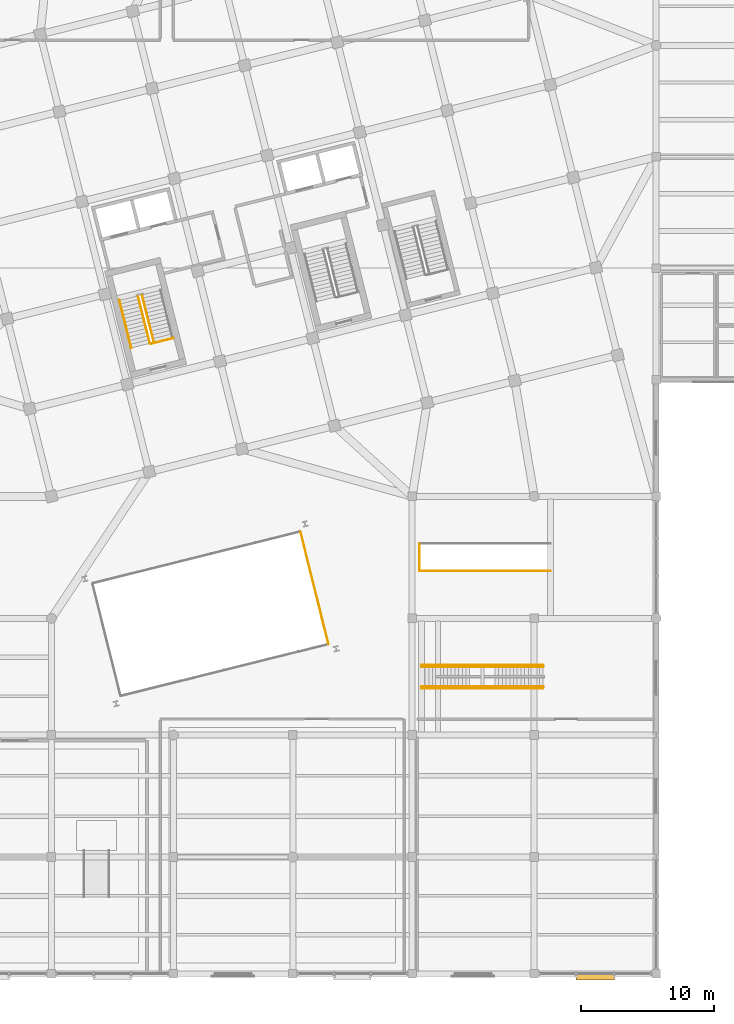
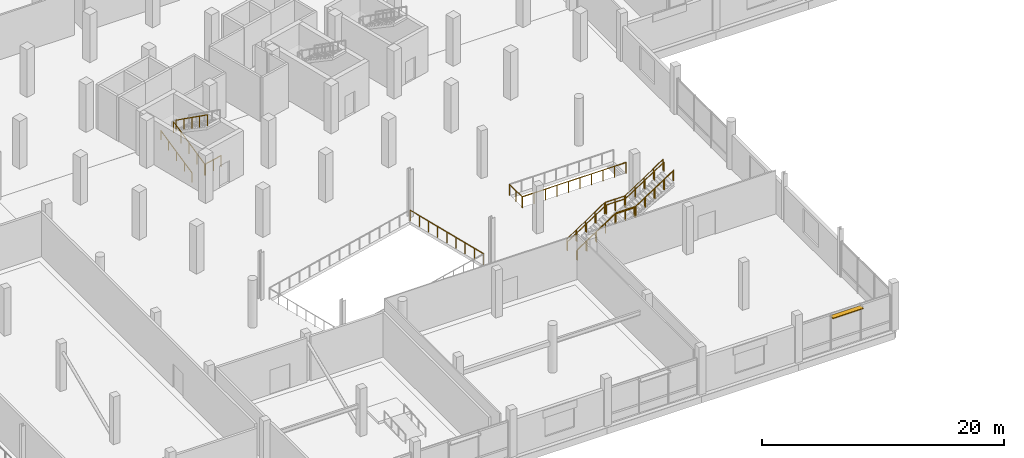
# One storey, part 68 of 71: 19 railings, 1 shading device.
"""IFC4 building model written with IfcOpenShell, lengths in metres."""

from ifc_helpers import new_model, si_unit, direction, frame, origin, origin_2d, place, context, subcontext, project, spatial, rectangle, circle, extrude, material, layer, layer_set, type_object, element, save


model = new_model("IFC4")

# Units and contexts
model_context = context("Model", 3, precision=1e-05, world=origin(), true_north=direction((0.0, 1.0)))
body_context = subcontext(model_context, "Body", "Model", "MODEL_VIEW")
ifc_project = project(units=[si_unit("LENGTHUNIT", "METRE"), si_unit("AREAUNIT", "SQUARE_METRE"), si_unit("VOLUMEUNIT", "CUBIC_METRE"), si_unit("PLANEANGLEUNIT", "RADIAN"), si_unit("MASSUNIT", "GRAM", prefix="KILO")], contexts=[model_context])

# Site, building, storey
site_placement = place(None, origin())
site = spatial("IfcSite", under=ifc_project, at=site_placement, CompositionType="ELEMENT")
building_placement = place(site_placement, origin())
building = spatial("IfcBuilding", under=site, at=building_placement, Name="Meriwether Solvik Hall", CompositionType="ELEMENT")
storey_placement = place(building_placement, frame((0.0, 0.0, 5.10009765625)))
storey = spatial("IfcBuildingStorey", under=building, at=storey_placement, Name="L01", CompositionType="ELEMENT", Elevation=5.10009765625)

# Railings
ifc_material_1 = material(Name="Steel A36 Galvanised", Category="steel")
ifc_layer_1 = layer(ifc_material_1, 0.054931640625)
ifc_layer_set_1 = layer_set([ifc_layer_1], Name="Steel A36 Galvanised")
railing_type_1 = type_object("IfcRailingType", Name="RAIL-STR-GUARD", PredefinedType="GUARDRAIL", material=ifc_layer_set_1)
railing_1_placement = place(storey_placement, frame((76.092041015625, 52.69384765625, 0.0)))
element("IfcRailing", 1, at=railing_1_placement, inside=storey, type_object=railing_type_1, Name="Stair ST-01 Well Guardrail (L01)", PredefinedType="GUARDRAIL", context=body_context, shape_type="SweptSolid", body=[
    extrude(circle(Radius=0.02392578125, at=origin_2d()), frame((0.0, 0.0, 1.09619140625), z_axis=(0.970298223594, 0.241911879182, 0.0), x_axis=(-0.241911879182, 0.970298223594, 0.0)), (0.0, 0.0, 1.0), 1.75),
    extrude(circle(Radius=0.02099609375, at=origin_2d()), origin(), (0.0, 0.0, 1.0), 1.072021484375),
    extrude(circle(Radius=0.02099609375, at=origin_2d()), frame((0.84912109375, 0.211669921875, 0.0)), (0.0, 0.0, 1.0), 1.072021484375),
    extrude(circle(Radius=0.02099609375, at=origin_2d()), frame((1.697998046875, 0.42333984375, 0.0)), (0.0, 0.0, 1.0), 1.072021484375),
])
railing_2_placement = place(storey_placement, frame((76.019287109375, 52.737548828125, 0.0)))
element("IfcRailing", 2, at=railing_2_placement, inside=storey, type_object=railing_type_1, Name="Stair ST-01 Flight 1 Inner Guardrail (L01)", PredefinedType="GUARDRAIL", context=body_context, shape_type="SweptSolid", body=[
    extrude(circle(Radius=0.02392578125, at=origin_2d()), frame((0.0, 0.0, 1.09619140625), z_axis=(-0.203081283414, 0.814371431991, 0.543651692799), x_axis=(-0.970285746386, -0.241961919235, 0.0)), (0.0, 0.0, 1.0), 4.414306640625),
    extrude(circle(Radius=0.02099609375, at=origin_2d()), origin(), (0.0, 0.0, 1.0), 1.072021484375),
    extrude(circle(Radius=0.02099609375, at=origin_2d()), frame((-0.22412109375, 0.898681640625, 0.60009765625)), (0.0, 0.0, 1.0), 1.072021484375),
    extrude(circle(Radius=0.02099609375, at=origin_2d()), frame((-0.4482421875, 1.79736328125, 1.199951171875)), (0.0, 0.0, 1.0), 1.072021484375),
    extrude(circle(Radius=0.02099609375, at=origin_2d()), frame((-0.67236328125, 2.6962890625, 1.7998046875)), (0.0, 0.0, 1.0), 1.072021484375),
    extrude(circle(Radius=0.02099609375, at=origin_2d()), frame((-0.896484375, 3.594970703125, 2.39990234375)), (0.0, 0.0, 1.0), 1.072021484375),
])
railing_3_placement = place(storey_placement, frame((75.433349609375, 56.409912109375, 2.39990234375)))
element("IfcRailing", 3, at=railing_3_placement, inside=storey, type_object=railing_type_1, Name="Stair ST-01 Flight 2 Inner Guardrail (L01)", PredefinedType="GUARDRAIL", context=body_context, shape_type="SweptSolid", body=[
    extrude(circle(Radius=0.02392578125, at=origin_2d()), frame((0.0, 0.0, 1.09619140625), z_axis=(0.203028258064, -0.814380577499, 0.543657798086), x_axis=(0.970301214675, 0.241899881771, 0.0)), (0.0, 0.0, 1.0), 4.414306640625),
    extrude(circle(Radius=0.02099609375, at=origin_2d()), origin(), (0.0, 0.0, 1.0), 1.072021484375),
    extrude(circle(Radius=0.02099609375, at=origin_2d()), frame((0.22412109375, -0.898681640625, 0.60009765625)), (0.0, 0.0, 1.0), 1.072021484375),
    extrude(circle(Radius=0.02099609375, at=origin_2d()), frame((0.4482421875, -1.79736328125, 1.199951171875)), (0.0, 0.0, 1.0), 1.072021484375),
    extrude(circle(Radius=0.02099609375, at=origin_2d()), frame((0.672119140625, -2.6962890625, 1.7998046875)), (0.0, 0.0, 1.0), 1.072021484375),
    extrude(circle(Radius=0.02099609375, at=origin_2d()), frame((0.896240234375, -3.594970703125, 2.39990234375)), (0.0, 0.0, 1.0), 1.072021484375),
])
railing_4_placement = place(storey_placement, frame((106.239990234375, 35.56005859375, 0.0)))
element("IfcRailing", 4, at=railing_4_placement, inside=storey, type_object=railing_type_1, Name="Stair ST-AT1 Arrival Well Guardrail (L01) 1", PredefinedType="GUARDRAIL", context=body_context, shape_type="SweptSolid", body=[
    extrude(circle(Radius=0.02392578125, at=origin_2d()), frame((0.0, 0.0, 1.09619140625), z_axis=(-1.0, 0.0, 0.0), x_axis=(0.0, -1.0, 0.0)), (0.0, 0.0, 1.0), 9.867919921875),
    extrude(circle(Radius=0.02099609375, at=origin_2d()), origin(), (0.0, 0.0, 1.0), 1.072021484375),
    extrude(circle(Radius=0.02099609375, at=origin_2d()), frame((-1.096435546875, 0.0, 0.0)), (0.0, 0.0, 1.0), 1.072021484375),
    extrude(circle(Radius=0.02099609375, at=origin_2d()), frame((-2.19287109375, 0.0, 0.0)), (0.0, 0.0, 1.0), 1.072021484375),
    extrude(circle(Radius=0.02099609375, at=origin_2d()), frame((-3.289306640625, 0.0, 0.0)), (0.0, 0.0, 1.0), 1.072021484375),
    extrude(circle(Radius=0.02099609375, at=origin_2d()), frame((-4.3857421875, 0.0, 0.0)), (0.0, 0.0, 1.0), 1.072021484375),
    extrude(circle(Radius=0.02099609375, at=origin_2d()), frame((-5.482177734375, 0.0, 0.0)), (0.0, 0.0, 1.0), 1.072021484375),
    extrude(circle(Radius=0.02099609375, at=origin_2d()), frame((-6.57861328125, 0.0, 0.0)), (0.0, 0.0, 1.0), 1.072021484375),
    extrude(circle(Radius=0.02099609375, at=origin_2d()), frame((-7.675048828125, 0.0, 0.0)), (0.0, 0.0, 1.0), 1.072021484375),
    extrude(circle(Radius=0.02099609375, at=origin_2d()), frame((-8.771484375, 0.0, 0.0)), (0.0, 0.0, 1.0), 1.072021484375),
    extrude(circle(Radius=0.02099609375, at=origin_2d()), frame((-9.867919921875, 0.0, 0.0)), (0.0, 0.0, 1.0), 1.072021484375),
])
railing_5_placement = place(storey_placement, frame((96.340087890625, 35.592041015625, 0.0)))
element("IfcRailing", 5, at=railing_5_placement, inside=storey, type_object=railing_type_1, Name="Stair ST-AT1 Arrival Well Guardrail (L01) 2", PredefinedType="GUARDRAIL", context=body_context, shape_type="SweptSolid", body=[
    extrude(circle(Radius=0.02392578125, at=origin_2d()), frame((0.0, 0.0, 1.09619140625), z_axis=(0.0, 1.0, 0.0), x_axis=(-1.0, 0.0, 0.0)), (0.0, 0.0, 1.0), 2.015869140625),
    extrude(circle(Radius=0.02099609375, at=origin_2d()), origin(), (0.0, 0.0, 1.0), 1.072021484375),
    extrude(circle(Radius=0.02099609375, at=origin_2d()), frame((0.0, 1.0078125, 0.0)), (0.0, 0.0, 1.0), 1.072021484375),
    extrude(circle(Radius=0.02099609375, at=origin_2d()), frame((0.0, 2.015869140625, 0.0)), (0.0, 0.0, 1.0), 1.072021484375),
])
railing_6_placement = place(storey_placement, frame((96.5, 26.72998046875, 0.0)))
element("IfcRailing", 6, at=railing_6_placement, inside=storey, type_object=railing_type_1, Name="Stair ST-AT2 Guardrail L 1", PredefinedType="GUARDRAIL", context=body_context, shape_type="SweptSolid", body=[
    extrude(circle(Radius=0.02392578125, at=origin_2d()), frame((0.0, 0.0, 1.09619140625), z_axis=(0.83485553818, 0.0, 0.550469100286), x_axis=(0.0, 1.0, 0.0)), (0.0, 0.0, 1.0), 4.321533203125),
    extrude(circle(Radius=0.02099609375, at=origin_2d()), origin(), (0.0, 0.0, 1.0), 1.072021484375),
    extrude(circle(Radius=0.02099609375, at=origin_2d()), frame((0.90185546875, 0.0, 0.5947265625)), (0.0, 0.0, 1.0), 1.072021484375),
    extrude(circle(Radius=0.02099609375, at=origin_2d()), frame((1.803955078125, 0.0, 1.189453125)), (0.0, 0.0, 1.0), 1.072021484375),
    extrude(circle(Radius=0.02099609375, at=origin_2d()), frame((2.7060546875, 0.0, 1.7841796875)), (0.0, 0.0, 1.0), 1.072021484375),
    extrude(circle(Radius=0.02099609375, at=origin_2d()), frame((3.60791015625, 0.0, 2.37890625)), (0.0, 0.0, 1.0), 1.072021484375),
])
railing_7_placement = place(storey_placement, frame((100.172119140625, 26.72998046875, 2.39990234375)))
element("IfcRailing", 7, at=railing_7_placement, inside=storey, type_object=railing_type_1, Name="Stair ST-AT2 Guardrail L 2", PredefinedType="GUARDRAIL", context=body_context, shape_type="SweptSolid", body=[
    extrude(circle(Radius=0.02392578125, at=origin_2d()), frame((0.0, 0.0, 1.09619140625), z_axis=(1.0, 0.0, 0.0), x_axis=(0.0, 1.0, 0.0)), (0.0, 0.0, 1.0), 1.8359375),
    extrude(circle(Radius=0.02099609375, at=origin_2d()), origin(), (0.0, 0.0, 1.0), 1.072021484375),
    extrude(circle(Radius=0.02099609375, at=origin_2d()), frame((0.91796875, 0.0, 0.0)), (0.0, 0.0, 1.0), 1.072021484375),
    extrude(circle(Radius=0.02099609375, at=origin_2d()), frame((1.8359375, 0.0, 0.0)), (0.0, 0.0, 1.0), 1.072021484375),
])
for number, where, name in (
    (8, (102.072021484375, 26.72998046875, 2.4208984375), "Stair ST-AT2 Guardrail L 3"),
    (9, (96.5, 28.469970703125, 0.0), "Stair ST-AT2 Guardrail R 1"),
):
    element("IfcRailing", number, at=place(storey_placement, frame(where)), inside=storey, type_object=railing_type_1, Name=name, PredefinedType="GUARDRAIL", context=body_context, shape_type="SweptSolid", body=[
        extrude(circle(Radius=0.02392578125, at=origin_2d()), frame((0.0, 0.0, 1.09619140625), z_axis=(0.83485553818, 0.0, 0.550469100286), x_axis=(0.0, 1.0, 0.0)), (0.0, 0.0, 1.0), 4.321533203125),
        extrude(circle(Radius=0.02099609375, at=origin_2d()), origin(), (0.0, 0.0, 1.0), 1.072021484375),
        extrude(circle(Radius=0.02099609375, at=origin_2d()), frame((0.90185546875, 0.0, 0.5947265625)), (0.0, 0.0, 1.0), 1.072021484375),
        extrude(circle(Radius=0.02099609375, at=origin_2d()), frame((1.803955078125, 0.0, 1.189453125)), (0.0, 0.0, 1.0), 1.072021484375),
        extrude(circle(Radius=0.02099609375, at=origin_2d()), frame((2.7060546875, 0.0, 1.7841796875)), (0.0, 0.0, 1.0), 1.072021484375),
        extrude(circle(Radius=0.02099609375, at=origin_2d()), frame((3.60791015625, 0.0, 2.37890625)), (0.0, 0.0, 1.0), 1.072021484375),
    ])
railing_8_placement = place(storey_placement, frame((100.172119140625, 28.469970703125, 2.39990234375)))
element("IfcRailing", 10, at=railing_8_placement, inside=storey, type_object=railing_type_1, Name="Stair ST-AT2 Guardrail R 2", PredefinedType="GUARDRAIL", context=body_context, shape_type="SweptSolid", body=[
    extrude(circle(Radius=0.02392578125, at=origin_2d()), frame((0.0, 0.0, 1.09619140625), z_axis=(1.0, 0.0, 0.0), x_axis=(0.0, 1.0, 0.0)), (0.0, 0.0, 1.0), 1.8359375),
    extrude(circle(Radius=0.02099609375, at=origin_2d()), origin(), (0.0, 0.0, 1.0), 1.072021484375),
    extrude(circle(Radius=0.02099609375, at=origin_2d()), frame((0.91796875, 0.0, 0.0)), (0.0, 0.0, 1.0), 1.072021484375),
    extrude(circle(Radius=0.02099609375, at=origin_2d()), frame((1.8359375, 0.0, 0.0)), (0.0, 0.0, 1.0), 1.072021484375),
])
railing_9_placement = place(storey_placement, frame((102.072021484375, 28.469970703125, 2.4208984375)))
element("IfcRailing", 11, at=railing_9_placement, inside=storey, type_object=railing_type_1, Name="Stair ST-AT2 Guardrail R 3", PredefinedType="GUARDRAIL", context=body_context, shape_type="SweptSolid", body=[
    extrude(circle(Radius=0.02392578125, at=origin_2d()), frame((0.0, 0.0, 1.09619140625), z_axis=(0.83485553818, 0.0, 0.550469100286), x_axis=(0.0, 1.0, 0.0)), (0.0, 0.0, 1.0), 4.321533203125),
    extrude(circle(Radius=0.02099609375, at=origin_2d()), origin(), (0.0, 0.0, 1.0), 1.072021484375),
    extrude(circle(Radius=0.02099609375, at=origin_2d()), frame((0.90185546875, 0.0, 0.5947265625)), (0.0, 0.0, 1.0), 1.072021484375),
    extrude(circle(Radius=0.02099609375, at=origin_2d()), frame((1.803955078125, 0.0, 1.189453125)), (0.0, 0.0, 1.0), 1.072021484375),
    extrude(circle(Radius=0.02099609375, at=origin_2d()), frame((2.7060546875, 0.0, 1.7841796875)), (0.0, 0.0, 1.0), 1.072021484375),
    extrude(circle(Radius=0.02099609375, at=origin_2d()), frame((3.60791015625, 0.0, 2.37890625)), (0.0, 0.0, 1.0), 1.072021484375),
])
ifc_material_2 = material(Name="Stainless Steel AISI 316", Category="steel")
ifc_layer_2 = layer(ifc_material_2, 0.044921875)
ifc_layer_set_2 = layer_set([ifc_layer_2], Name="Stainless Steel AISI 316")
railing_type_2 = type_object("IfcRailingType", Name="RAIL-STR-HAND", PredefinedType="HANDRAIL", material=ifc_layer_set_2)
railing_10_placement = place(storey_placement, frame((74.6220703125, 52.38916015625, 0.0)))
element("IfcRailing", 12, at=railing_10_placement, inside=storey, type_object=railing_type_2, Name="Stair ST-01 Lower Handrail (L01)", PredefinedType="HANDRAIL", context=body_context, shape_type="SweptSolid", body=[
    extrude(circle(Radius=0.02392578125, at=origin_2d()), frame((0.0, 0.0, 0.89599609375), z_axis=(-0.20308221401, 0.814371825566, 0.543650755612), x_axis=(-0.970285513533, -0.241962852992, 0.0)), (0.0, 0.0, 1.0), 4.421630859375),
    extrude(circle(Radius=0.02099609375, at=origin_2d()), origin(), (0.0, 0.0, 1.0), 0.871826171875),
    extrude(circle(Radius=0.02099609375, at=origin_2d()), frame((-0.224609375, 0.900146484375, 0.60107421875)), (0.0, 0.0, 1.0), 0.871826171875),
    extrude(circle(Radius=0.02099609375, at=origin_2d()), frame((-0.448974609375, 1.80029296875, 1.201904296875)), (0.0, 0.0, 1.0), 0.871826171875),
    extrude(circle(Radius=0.02099609375, at=origin_2d()), frame((-0.67333984375, 2.70068359375, 1.802734375)), (0.0, 0.0, 1.0), 0.871826171875),
    extrude(circle(Radius=0.02099609375, at=origin_2d()), frame((-0.89794921875, 3.600830078125, 2.40380859375)), (0.0, 0.0, 1.0), 0.871826171875),
])
railing_11_placement = place(storey_placement, frame((96.5, 26.85009765625, 0.0)))
element("IfcRailing", 13, at=railing_11_placement, inside=storey, type_object=railing_type_2, Name="Stair ST-AT2 Handrail L 1", PredefinedType="HANDRAIL", context=body_context, shape_type="SweptSolid", body=[
    extrude(circle(Radius=0.02392578125, at=origin_2d()), frame((0.0, 0.0, 0.89599609375), z_axis=(0.834877630396, 0.0, 0.550435593202), x_axis=(0.0, 1.0, 0.0)), (0.0, 0.0, 1.0), 4.3671875),
    extrude(circle(Radius=0.02099609375, at=origin_2d()), origin(), (0.0, 0.0, 1.0), 0.871826171875),
    extrude(circle(Radius=0.02099609375, at=origin_2d()), frame((0.91162109375, 0.0, 0.60107421875)), (0.0, 0.0, 1.0), 0.871826171875),
    extrude(circle(Radius=0.02099609375, at=origin_2d()), frame((1.822998046875, 0.0, 1.201904296875)), (0.0, 0.0, 1.0), 0.871826171875),
    extrude(circle(Radius=0.02099609375, at=origin_2d()), frame((2.734375, 0.0, 1.802734375)), (0.0, 0.0, 1.0), 0.871826171875),
    extrude(circle(Radius=0.02099609375, at=origin_2d()), frame((3.64599609375, 0.0, 2.40380859375)), (0.0, 0.0, 1.0), 0.871826171875),
])
railing_12_placement = place(storey_placement, frame((100.205078125, 26.85009765625, 2.39990234375)))
element("IfcRailing", 14, at=railing_12_placement, inside=storey, type_object=railing_type_2, Name="Stair ST-AT2 Handrail L 2", PredefinedType="HANDRAIL", context=body_context, shape_type="SweptSolid", body=[
    extrude(circle(Radius=0.02392578125, at=origin_2d()), frame((0.0, 0.0, 0.89599609375), z_axis=(1.0, 0.0, 0.0), x_axis=(0.0, 1.0, 0.0)), (0.0, 0.0, 1.0), 1.77001953125),
    extrude(circle(Radius=0.02099609375, at=origin_2d()), origin(), (0.0, 0.0, 1.0), 0.871826171875),
    extrude(circle(Radius=0.02099609375, at=origin_2d()), frame((0.885009765625, 0.0, 0.0)), (0.0, 0.0, 1.0), 0.871826171875),
    extrude(circle(Radius=0.02099609375, at=origin_2d()), frame((1.77001953125, 0.0, 0.0)), (0.0, 0.0, 1.0), 0.871826171875),
])
railing_13_placement = place(storey_placement, frame((102.0400390625, 26.85009765625, 2.39990234375)))
element("IfcRailing", 15, at=railing_13_placement, inside=storey, type_object=railing_type_2, Name="Stair ST-AT2 Handrail L 3", PredefinedType="HANDRAIL", context=body_context, shape_type="SweptSolid", body=[
    extrude(circle(Radius=0.02392578125, at=origin_2d()), frame((0.0, 0.0, 0.89599609375), z_axis=(0.834851939573, 0.0, 0.550474557987), x_axis=(0.0, 1.0, 0.0)), (0.0, 0.0, 1.0), 4.3671875),
    extrude(circle(Radius=0.02099609375, at=origin_2d()), origin(), (0.0, 0.0, 1.0), 0.871826171875),
    extrude(circle(Radius=0.02099609375, at=origin_2d()), frame((0.91162109375, 0.0, 0.60107421875)), (0.0, 0.0, 1.0), 0.871826171875),
    extrude(circle(Radius=0.02099609375, at=origin_2d()), frame((1.822998046875, 0.0, 1.2021484375)), (0.0, 0.0, 1.0), 0.871826171875),
    extrude(circle(Radius=0.02099609375, at=origin_2d()), frame((2.734375, 0.0, 1.802978515625)), (0.0, 0.0, 1.0), 0.871826171875),
    extrude(circle(Radius=0.02099609375, at=origin_2d()), frame((3.64599609375, 0.0, 2.404052734375)), (0.0, 0.0, 1.0), 0.871826171875),
])
railing_14_placement = place(storey_placement, frame((96.5, 28.35009765625, 0.0)))
element("IfcRailing", 16, at=railing_14_placement, inside=storey, type_object=railing_type_2, Name="Stair ST-AT2 Handrail R 1", PredefinedType="HANDRAIL", context=body_context, shape_type="SweptSolid", body=[
    extrude(circle(Radius=0.02392578125, at=origin_2d()), frame((0.0, 0.0, 0.89599609375), z_axis=(0.834877630396, 0.0, 0.550435593202), x_axis=(0.0, 1.0, 0.0)), (0.0, 0.0, 1.0), 4.3671875),
    extrude(circle(Radius=0.02099609375, at=origin_2d()), origin(), (0.0, 0.0, 1.0), 0.871826171875),
    extrude(circle(Radius=0.02099609375, at=origin_2d()), frame((0.91162109375, 0.0, 0.60107421875)), (0.0, 0.0, 1.0), 0.871826171875),
    extrude(circle(Radius=0.02099609375, at=origin_2d()), frame((1.822998046875, 0.0, 1.201904296875)), (0.0, 0.0, 1.0), 0.871826171875),
    extrude(circle(Radius=0.02099609375, at=origin_2d()), frame((2.734375, 0.0, 1.802734375)), (0.0, 0.0, 1.0), 0.871826171875),
    extrude(circle(Radius=0.02099609375, at=origin_2d()), frame((3.64599609375, 0.0, 2.40380859375)), (0.0, 0.0, 1.0), 0.871826171875),
])
railing_15_placement = place(storey_placement, frame((100.205078125, 28.35009765625, 2.39990234375)))
element("IfcRailing", 17, at=railing_15_placement, inside=storey, type_object=railing_type_2, Name="Stair ST-AT2 Handrail R 2", PredefinedType="HANDRAIL", context=body_context, shape_type="SweptSolid", body=[
    extrude(circle(Radius=0.02392578125, at=origin_2d()), frame((0.0, 0.0, 0.89599609375), z_axis=(1.0, 0.0, 0.0), x_axis=(0.0, 1.0, 0.0)), (0.0, 0.0, 1.0), 1.77001953125),
    extrude(circle(Radius=0.02099609375, at=origin_2d()), origin(), (0.0, 0.0, 1.0), 0.871826171875),
    extrude(circle(Radius=0.02099609375, at=origin_2d()), frame((0.885009765625, 0.0, 0.0)), (0.0, 0.0, 1.0), 0.871826171875),
    extrude(circle(Radius=0.02099609375, at=origin_2d()), frame((1.77001953125, 0.0, 0.0)), (0.0, 0.0, 1.0), 0.871826171875),
])
railing_16_placement = place(storey_placement, frame((102.0400390625, 28.35009765625, 2.39990234375)))
element("IfcRailing", 18, at=railing_16_placement, inside=storey, type_object=railing_type_2, Name="Stair ST-AT2 Handrail R 3", PredefinedType="HANDRAIL", context=body_context, shape_type="SweptSolid", body=[
    extrude(circle(Radius=0.02392578125, at=origin_2d()), frame((0.0, 0.0, 0.89599609375), z_axis=(0.834851939573, 0.0, 0.550474557987), x_axis=(0.0, 1.0, 0.0)), (0.0, 0.0, 1.0), 4.3671875),
    extrude(circle(Radius=0.02099609375, at=origin_2d()), origin(), (0.0, 0.0, 1.0), 0.871826171875),
    extrude(circle(Radius=0.02099609375, at=origin_2d()), frame((0.91162109375, 0.0, 0.60107421875)), (0.0, 0.0, 1.0), 0.871826171875),
    extrude(circle(Radius=0.02099609375, at=origin_2d()), frame((1.822998046875, 0.0, 1.2021484375)), (0.0, 0.0, 1.0), 0.871826171875),
    extrude(circle(Radius=0.02099609375, at=origin_2d()), frame((2.734375, 0.0, 1.802978515625)), (0.0, 0.0, 1.0), 0.871826171875),
    extrude(circle(Radius=0.02099609375, at=origin_2d()), frame((3.64599609375, 0.0, 2.404052734375)), (0.0, 0.0, 1.0), 0.871826171875),
])
ifc_material_3 = material(Name="Laminated Tempered Glass and Stainless Steel AISI 316", Category="steel")
ifc_layer_3 = layer(ifc_material_3, 0.06005859375)
ifc_layer_set_3 = layer_set([ifc_layer_3], Name="Laminated Tempered Glass and Stainless Steel AISI 316")
railing_type_3 = type_object("IfcRailingType", Name="RAIL-TERR-1120", PredefinedType="GUARDRAIL", material=ifc_layer_set_3)
railing_17_placement = place(storey_placement, frame((89.49169921875, 30.07568359375, 0.0)))
element("IfcRailing", 19, at=railing_17_placement, inside=storey, type_object=railing_type_3, Name="L01 Civic Atrium Cleft Guardrail 2", PredefinedType="GUARDRAIL", context=body_context, shape_type="SweptSolid", body=[
    extrude(circle(Radius=0.02392578125, at=origin_2d()), frame((0.0, 0.0, 1.09619140625), z_axis=(-0.241921231997, 0.970295891731, 0.0), x_axis=(-0.970295891731, -0.241921231997, 0.0)), (0.0, 0.0, 1.0), 8.696044921875),
    extrude(circle(Radius=0.02099609375, at=origin_2d()), origin(), (0.0, 0.0, 1.0), 1.072021484375),
    extrude(circle(Radius=0.02099609375, at=origin_2d()), frame((-0.262939453125, 1.0546875, 0.0)), (0.0, 0.0, 1.0), 1.072021484375),
    extrude(circle(Radius=0.02099609375, at=origin_2d()), frame((-0.52587890625, 2.109375, 0.0)), (0.0, 0.0, 1.0), 1.072021484375),
    extrude(circle(Radius=0.02099609375, at=origin_2d()), frame((-0.788818359375, 3.1640625, 0.0)), (0.0, 0.0, 1.0), 1.072021484375),
    extrude(circle(Radius=0.02099609375, at=origin_2d()), frame((-1.0517578125, 4.21875, 0.0)), (0.0, 0.0, 1.0), 1.072021484375),
    extrude(circle(Radius=0.02099609375, at=origin_2d()), frame((-1.31494140625, 5.273681640625, 0.0)), (0.0, 0.0, 1.0), 1.072021484375),
    extrude(circle(Radius=0.02099609375, at=origin_2d()), frame((-1.577880859375, 6.328369140625, 0.0)), (0.0, 0.0, 1.0), 1.072021484375),
    extrude(circle(Radius=0.02099609375, at=origin_2d()), frame((-1.8408203125, 7.383056640625, 0.0)), (0.0, 0.0, 1.0), 1.072021484375),
    extrude(circle(Radius=0.02099609375, at=origin_2d()), frame((-2.103759765625, 8.437744140625, 0.0)), (0.0, 0.0, 1.0), 1.072021484375),
])

# Shading device
ifc_material_4 = material(Name="Anodised Aluminium 6063-T6", Category="aluminium")
shading_device_type = type_object("IfcShadingDeviceType", Name="SHD-LOUVRE-S", PredefinedType="SHUTTER", material=ifc_material_4)
shading_device_placement = place(storey_placement, frame((109.60009765625, 4.9599609375, 3.349853515625), z_axis=(0.0, 0.0, 1.0), x_axis=(-1.0, 0.0, 0.0)))
element("IfcShadingDevice", 20, at=shading_device_placement, inside=storey, type_object=shading_device_type, Name="Solar Shading Louvre wing_XA_12_11", PredefinedType="SHUTTER", context=body_context, shape_type="SweptSolid", body=[
    extrude(rectangle(XDim=2.89404296875, YDim=0.4599609375, at=origin_2d()), origin(), (0.0, 0.0, 1.0), 0.080078125),
])

save(model, "model.ifc")
